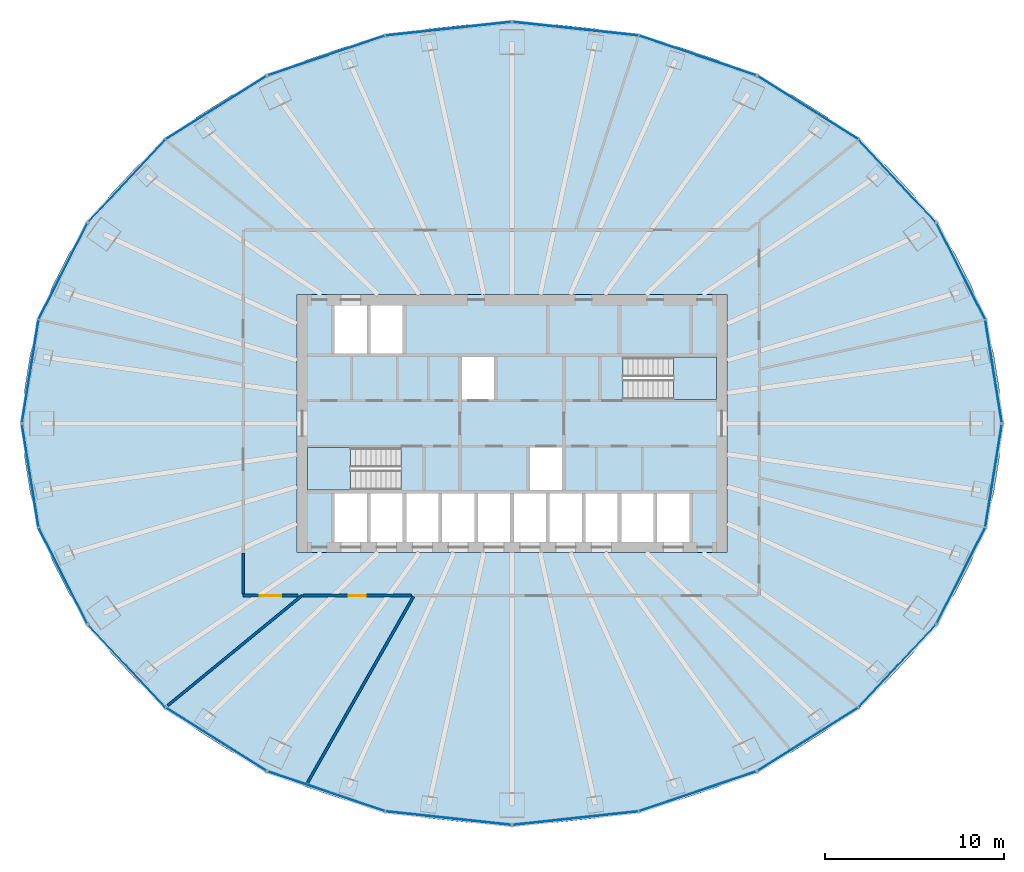
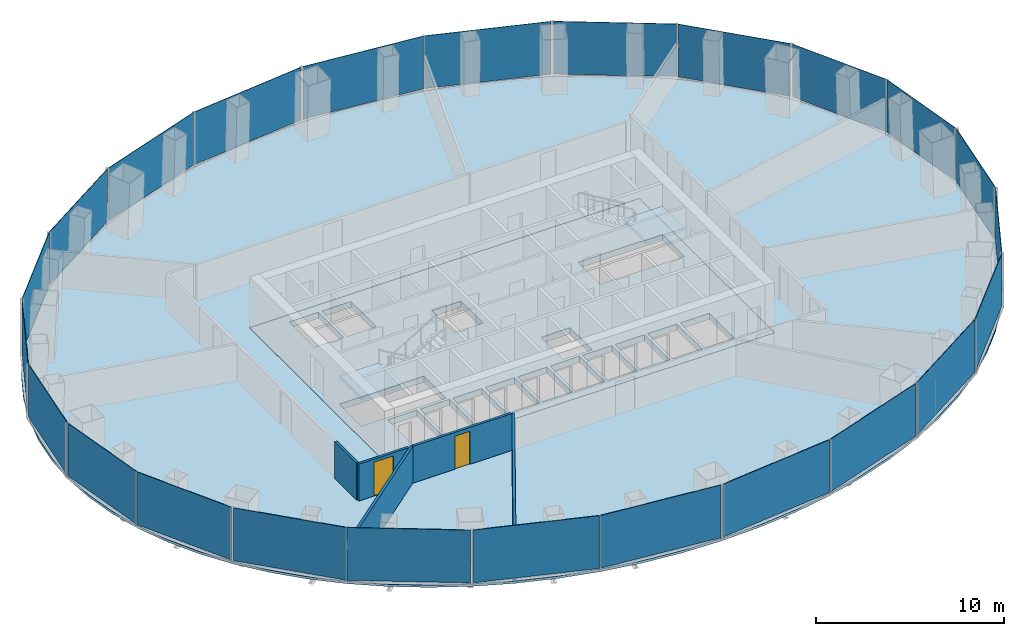
# One storey, part 7 of 11: 24 plates, 5 walls, 4 slabs, 2 doors, 2 openings, 14 elements without a shape of their own.
"""IFC4 building model written with IfcOpenShell, lengths in metres."""

from ifc_helpers import new_model, si_unit, direction, frame, frame_2d, origin, origin_2d, place, context, subcontext, project, spatial, polyline, rectangle, outline, extrude, material, layer, layer_set, type_object, element, fill, aggregate, save


model = new_model("IFC4")

# Units and contexts
model_context = context("Model", 3, precision=1e-05, world=origin(), true_north=direction((0.0, 1.0)))
body_context = subcontext(model_context, "Body", "Model", "MODEL_VIEW")
ifc_project = project(units=[si_unit("LENGTHUNIT", "METRE"), si_unit("AREAUNIT", "SQUARE_METRE"), si_unit("VOLUMEUNIT", "CUBIC_METRE"), si_unit("PLANEANGLEUNIT", "RADIAN"), si_unit("MASSUNIT", "GRAM", prefix="KILO")], contexts=[model_context])

# Site, building, storey
site_placement = place(None, origin())
site = spatial("IfcSite", under=ifc_project, at=site_placement, CompositionType="ELEMENT")
building_placement = place(site_placement, origin())
building = spatial("IfcBuilding", under=site, at=building_placement, Name="Siaravel Broadcast Tower", CompositionType="ELEMENT")
storey_placement = place(building_placement, frame((0.0, 0.0, 63.0)))
storey = spatial("IfcBuildingStorey", under=building, at=storey_placement, Name="L14", CompositionType="ELEMENT", Elevation=63.0)

# Curtain wall, plates
ifc_material_1 = material(Name="Aluminium 6063-T6", Category="aluminium")
ifc_layer_1 = layer(ifc_material_1, 0.219970703125)
ifc_layer_set_1 = layer_set([ifc_layer_1], Name="Aluminium 6063-T6")
curtain_wall_type = type_object("IfcCurtainWallType", Name="Unitised curtain wall, zone 1", PredefinedType="NOTDEFINED", material=ifc_layer_set_1)
curtain_wall_1_placement = place(storey_placement, origin())
curtain_wall_1 = element("IfcCurtainWall", 1, at=curtain_wall_1_placement, inside=storey, type_object=curtain_wall_type, Name="L14 Unitised curtain wall, zone 1 01", PredefinedType="NOTDEFINED")
ifc_material_2 = material(Name="Tinted laminated glass", Category="glass")
ifc_layer_2 = layer(ifc_material_2, 0.031982421875)
ifc_layer_set_2 = layer_set([ifc_layer_2], Name="Tinted laminated glass")
plate_type = type_object("IfcPlateType", Name="CW-Z1 glass panel", PredefinedType="CURTAIN_PANEL", material=ifc_layer_set_2)
plate_1_placement = place(storey_placement, frame((26.878662109375, 2.918701171875, 0.1201171875), z_axis=(0.0, 0.0, 1.0), x_axis=(-0.158686233, 0.987329063, 0.0)))
plate_1 = element("IfcPlate", 2, at=plate_1_placement, type_object=plate_type, Name="CW-Z1 glass panel", PredefinedType="CURTAIN_PANEL", context=body_context, shape_type="SweptSolid", body=[
    extrude(rectangle(XDim=5.772216796875, YDim=0.031982421875, at=origin_2d()), origin(), (0.0, 0.0, 1.0), 3.429931640625),
])
plate_2_placement = place(storey_placement, frame((25.05615234375, 8.489990234375, 0.1201171875), z_axis=(0.0, 0.0, 1.0), x_axis=(-0.451262428, 0.892391293, 0.0)))
plate_2 = element("IfcPlate", 3, at=plate_2_placement, type_object=plate_type, Name="CW-Z1 glass panel", PredefinedType="CURTAIN_PANEL", context=body_context, shape_type="SweptSolid", body=[
    extrude(rectangle(XDim=5.952880859375, YDim=0.031982421875, at=origin_2d()), origin(), (0.0, 0.0, 1.0), 3.429931640625),
])
aggregate(curtain_wall_1, [plate_1, plate_2])

curtain_wall_2_placement = place(storey_placement, origin())
curtain_wall_2 = element("IfcCurtainWall", 4, at=curtain_wall_2_placement, inside=storey, type_object=curtain_wall_type, Name="L14 Unitised curtain wall, zone 1 02", PredefinedType="NOTDEFINED")
plate_3_placement = place(storey_placement, frame((21.495849609375, 13.5419921875, 0.1201171875), z_axis=(0.0, 0.0, 1.0), x_axis=(-0.683656509, 0.729803931, 0.0)))
plate_3 = element("IfcPlate", 5, at=plate_3_placement, type_object=plate_type, Name="CW-Z1 glass panel", PredefinedType="CURTAIN_PANEL", context=body_context, shape_type="SweptSolid", body=[
    extrude(rectangle(XDim=6.25390625, YDim=0.031982421875, at=origin_2d()), origin(), (0.0, 0.0, 1.0), 3.429931640625),
])
plate_4_placement = place(storey_placement, frame((16.51708984375, 17.6201171875, 0.1201171875), z_axis=(0.0, 0.0, 1.0), x_axis=(-0.846651392, 0.532147932, 0.0)))
plate_4 = element("IfcPlate", 6, at=plate_4_placement, type_object=plate_type, Name="CW-Z1 glass panel", PredefinedType="CURTAIN_PANEL", context=body_context, shape_type="SweptSolid", body=[
    extrude(rectangle(XDim=6.584716796875, YDim=0.031982421875, at=origin_2d()), origin(), (0.0, 0.0, 1.0), 3.429931640625),
])
aggregate(curtain_wall_2, [plate_3, plate_4])

curtain_wall_3_placement = place(storey_placement, origin())
curtain_wall_3 = element("IfcCurtainWall", 7, at=curtain_wall_3_placement, inside=storey, type_object=curtain_wall_type, Name="L14 Unitised curtain wall, zone 1 03", PredefinedType="NOTDEFINED")
plate_5_placement = place(storey_placement, frame((10.3564453125, 20.53369140625, 0.1201171875), z_axis=(0.0, 0.0, 1.0), x_axis=(-0.946977551, 0.321299732, 0.0)))
plate_5 = element("IfcPlate", 8, at=plate_5_placement, type_object=plate_type, Name="CW-Z1 glass panel", PredefinedType="CURTAIN_PANEL", context=body_context, shape_type="SweptSolid", body=[
    extrude(rectangle(XDim=6.858642578125, YDim=0.031982421875, at=origin_2d()), origin(), (0.0, 0.0, 1.0), 3.429931640625),
])
plate_6_placement = place(storey_placement, frame((3.555419921875, 22.026611328125, 0.1201171875), z_axis=(0.0, 0.0, 1.0), x_axis=(-0.994235625, 0.107217176, 0.0)))
plate_6 = element("IfcPlate", 9, at=plate_6_placement, type_object=plate_type, Name="CW-Z1 glass panel", PredefinedType="CURTAIN_PANEL", context=body_context, shape_type="SweptSolid", body=[
    extrude(rectangle(XDim=7.011962890625, YDim=0.031982421875, at=origin_2d()), origin(), (0.0, 0.0, 1.0), 3.429931640625),
])
aggregate(curtain_wall_3, [plate_5, plate_6])

curtain_wall_4_placement = place(storey_placement, origin())
curtain_wall_4 = element("IfcCurtainWall", 10, at=curtain_wall_4_placement, inside=storey, type_object=curtain_wall_type, Name="L14 Unitised curtain wall, zone 1 04", PredefinedType="NOTDEFINED")
plate_7_placement = place(storey_placement, frame((-3.555419921875, 22.026611328125, 0.1201171875), z_axis=(0.0, 0.0, 1.0), x_axis=(-0.994235625, -0.107217176, 0.0)))
plate_7 = element("IfcPlate", 11, at=plate_7_placement, type_object=plate_type, Name="CW-Z1 glass panel", PredefinedType="CURTAIN_PANEL", context=body_context, shape_type="SweptSolid", body=[
    extrude(rectangle(XDim=7.011962890625, YDim=0.031982421875, at=origin_2d()), origin(), (0.0, 0.0, 1.0), 3.429931640625),
])
plate_8_placement = place(storey_placement, frame((-10.3564453125, 20.53369140625, 0.1201171875), z_axis=(0.0, 0.0, 1.0), x_axis=(-0.946977551, -0.321299732, 0.0)))
plate_8 = element("IfcPlate", 12, at=plate_8_placement, type_object=plate_type, Name="CW-Z1 glass panel", PredefinedType="CURTAIN_PANEL", context=body_context, shape_type="SweptSolid", body=[
    extrude(rectangle(XDim=6.858642578125, YDim=0.031982421875, at=origin_2d()), origin(), (0.0, 0.0, 1.0), 3.429931640625),
])
aggregate(curtain_wall_4, [plate_7, plate_8])

curtain_wall_5_placement = place(storey_placement, origin())
curtain_wall_5 = element("IfcCurtainWall", 13, at=curtain_wall_5_placement, inside=storey, type_object=curtain_wall_type, Name="L14 Unitised curtain wall, zone 1 05", PredefinedType="NOTDEFINED")
plate_9_placement = place(storey_placement, frame((-16.51708984375, 17.6201171875, 0.1201171875), z_axis=(0.0, 0.0, 1.0), x_axis=(-0.846651392, -0.532147932, 0.0)))
plate_9 = element("IfcPlate", 14, at=plate_9_placement, type_object=plate_type, Name="CW-Z1 glass panel", PredefinedType="CURTAIN_PANEL", context=body_context, shape_type="SweptSolid", body=[
    extrude(rectangle(XDim=6.584716796875, YDim=0.031982421875, at=origin_2d()), origin(), (0.0, 0.0, 1.0), 3.429931640625),
])
plate_10_placement = place(storey_placement, frame((-21.495849609375, 13.5419921875, 0.1201171875), z_axis=(0.0, 0.0, 1.0), x_axis=(-0.683656509, -0.729803931, 0.0)))
plate_10 = element("IfcPlate", 15, at=plate_10_placement, type_object=plate_type, Name="CW-Z1 glass panel", PredefinedType="CURTAIN_PANEL", context=body_context, shape_type="SweptSolid", body=[
    extrude(rectangle(XDim=6.25390625, YDim=0.031982421875, at=origin_2d()), origin(), (0.0, 0.0, 1.0), 3.429931640625),
])
aggregate(curtain_wall_5, [plate_9, plate_10])

curtain_wall_6_placement = place(storey_placement, origin())
curtain_wall_6 = element("IfcCurtainWall", 16, at=curtain_wall_6_placement, inside=storey, type_object=curtain_wall_type, Name="L14 Unitised curtain wall, zone 1 06", PredefinedType="NOTDEFINED")
plate_11_placement = place(storey_placement, frame((-25.05615234375, 8.489990234375, 0.1201171875), z_axis=(0.0, 0.0, 1.0), x_axis=(-0.451262428, -0.892391293, 0.0)))
plate_11 = element("IfcPlate", 17, at=plate_11_placement, type_object=plate_type, Name="CW-Z1 glass panel", PredefinedType="CURTAIN_PANEL", context=body_context, shape_type="SweptSolid", body=[
    extrude(rectangle(XDim=5.952880859375, YDim=0.031982421875, at=origin_2d()), origin(), (0.0, 0.0, 1.0), 3.429931640625),
])
plate_12_placement = place(storey_placement, frame((-26.878662109375, 2.918701171875, 0.1201171875), z_axis=(0.0, 0.0, 1.0), x_axis=(-0.158686233, -0.987329063, 0.0)))
plate_12 = element("IfcPlate", 18, at=plate_12_placement, type_object=plate_type, Name="CW-Z1 glass panel", PredefinedType="CURTAIN_PANEL", context=body_context, shape_type="SweptSolid", body=[
    extrude(rectangle(XDim=5.772216796875, YDim=0.031982421875, at=origin_2d()), origin(), (0.0, 0.0, 1.0), 3.429931640625),
])
aggregate(curtain_wall_6, [plate_11, plate_12])

curtain_wall_7_placement = place(storey_placement, origin())
curtain_wall_7 = element("IfcCurtainWall", 19, at=curtain_wall_7_placement, inside=storey, type_object=curtain_wall_type, Name="L14 Unitised curtain wall, zone 1 07", PredefinedType="NOTDEFINED")
plate_13_placement = place(storey_placement, frame((-26.878662109375, -2.918701171875, 0.1201171875), z_axis=(0.0, 0.0, 1.0), x_axis=(0.158686233, -0.987329063, 0.0)))
plate_13 = element("IfcPlate", 20, at=plate_13_placement, type_object=plate_type, Name="CW-Z1 glass panel", PredefinedType="CURTAIN_PANEL", context=body_context, shape_type="SweptSolid", body=[
    extrude(rectangle(XDim=5.772216796875, YDim=0.031982421875, at=origin_2d()), origin(), (0.0, 0.0, 1.0), 3.429931640625),
])
plate_14_placement = place(storey_placement, frame((-25.05615234375, -8.489990234375, 0.1201171875), z_axis=(0.0, 0.0, 1.0), x_axis=(0.451262428, -0.892391293, 0.0)))
plate_14 = element("IfcPlate", 21, at=plate_14_placement, type_object=plate_type, Name="CW-Z1 glass panel", PredefinedType="CURTAIN_PANEL", context=body_context, shape_type="SweptSolid", body=[
    extrude(rectangle(XDim=5.952880859375, YDim=0.031982421875, at=origin_2d()), origin(), (0.0, 0.0, 1.0), 3.429931640625),
])
aggregate(curtain_wall_7, [plate_13, plate_14])

curtain_wall_8_placement = place(storey_placement, origin())
curtain_wall_8 = element("IfcCurtainWall", 22, at=curtain_wall_8_placement, inside=storey, type_object=curtain_wall_type, Name="L14 Unitised curtain wall, zone 1 08", PredefinedType="NOTDEFINED")
plate_15_placement = place(storey_placement, frame((-21.495849609375, -13.5419921875, 0.1201171875), z_axis=(0.0, 0.0, 1.0), x_axis=(0.683656509, -0.729803931, 0.0)))
plate_15 = element("IfcPlate", 23, at=plate_15_placement, type_object=plate_type, Name="CW-Z1 glass panel", PredefinedType="CURTAIN_PANEL", context=body_context, shape_type="SweptSolid", body=[
    extrude(rectangle(XDim=6.25390625, YDim=0.031982421875, at=origin_2d()), origin(), (0.0, 0.0, 1.0), 3.429931640625),
])
plate_16_placement = place(storey_placement, frame((-16.51708984375, -17.6201171875, 0.1201171875), z_axis=(0.0, 0.0, 1.0), x_axis=(0.846651392, -0.532147932, 0.0)))
plate_16 = element("IfcPlate", 24, at=plate_16_placement, type_object=plate_type, Name="CW-Z1 glass panel", PredefinedType="CURTAIN_PANEL", context=body_context, shape_type="SweptSolid", body=[
    extrude(rectangle(XDim=6.584716796875, YDim=0.031982421875, at=origin_2d()), origin(), (0.0, 0.0, 1.0), 3.429931640625),
])
aggregate(curtain_wall_8, [plate_15, plate_16])

curtain_wall_9_placement = place(storey_placement, origin())
curtain_wall_9 = element("IfcCurtainWall", 25, at=curtain_wall_9_placement, inside=storey, type_object=curtain_wall_type, Name="L14 Unitised curtain wall, zone 1 09", PredefinedType="NOTDEFINED")
plate_17_placement = place(storey_placement, frame((-10.3564453125, -20.53369140625, 0.1201171875), z_axis=(0.0, 0.0, 1.0), x_axis=(0.946977551, -0.321299732, 0.0)))
plate_17 = element("IfcPlate", 26, at=plate_17_placement, type_object=plate_type, Name="CW-Z1 glass panel", PredefinedType="CURTAIN_PANEL", context=body_context, shape_type="SweptSolid", body=[
    extrude(rectangle(XDim=6.858642578125, YDim=0.031982421875, at=origin_2d()), origin(), (0.0, 0.0, 1.0), 3.429931640625),
])
plate_18_placement = place(storey_placement, frame((-3.555419921875, -22.026611328125, 0.1201171875), z_axis=(0.0, 0.0, 1.0), x_axis=(0.994235625, -0.107217176, 0.0)))
plate_18 = element("IfcPlate", 27, at=plate_18_placement, type_object=plate_type, Name="CW-Z1 glass panel", PredefinedType="CURTAIN_PANEL", context=body_context, shape_type="SweptSolid", body=[
    extrude(rectangle(XDim=7.011962890625, YDim=0.031982421875, at=origin_2d()), origin(), (0.0, 0.0, 1.0), 3.429931640625),
])
aggregate(curtain_wall_9, [plate_17, plate_18])

curtain_wall_10_placement = place(storey_placement, origin())
curtain_wall_10 = element("IfcCurtainWall", 28, at=curtain_wall_10_placement, inside=storey, type_object=curtain_wall_type, Name="L14 Unitised curtain wall, zone 1 10", PredefinedType="NOTDEFINED")
plate_19_placement = place(storey_placement, frame((3.555419921875, -22.026611328125, 0.1201171875), z_axis=(0.0, 0.0, 1.0), x_axis=(0.994235625, 0.107217176, 0.0)))
plate_19 = element("IfcPlate", 29, at=plate_19_placement, type_object=plate_type, Name="CW-Z1 glass panel", PredefinedType="CURTAIN_PANEL", context=body_context, shape_type="SweptSolid", body=[
    extrude(rectangle(XDim=7.011962890625, YDim=0.031982421875, at=origin_2d()), origin(), (0.0, 0.0, 1.0), 3.429931640625),
])
plate_20_placement = place(storey_placement, frame((10.3564453125, -20.53369140625, 0.1201171875), z_axis=(0.0, 0.0, 1.0), x_axis=(0.946977551, 0.321299732, 0.0)))
plate_20 = element("IfcPlate", 30, at=plate_20_placement, type_object=plate_type, Name="CW-Z1 glass panel", PredefinedType="CURTAIN_PANEL", context=body_context, shape_type="SweptSolid", body=[
    extrude(rectangle(XDim=6.858642578125, YDim=0.031982421875, at=origin_2d()), origin(), (0.0, 0.0, 1.0), 3.429931640625),
])
aggregate(curtain_wall_10, [plate_19, plate_20])

curtain_wall_11_placement = place(storey_placement, origin())
curtain_wall_11 = element("IfcCurtainWall", 31, at=curtain_wall_11_placement, inside=storey, type_object=curtain_wall_type, Name="L14 Unitised curtain wall, zone 1 11", PredefinedType="NOTDEFINED")
plate_21_placement = place(storey_placement, frame((16.51708984375, -17.6201171875, 0.1201171875), z_axis=(0.0, 0.0, 1.0), x_axis=(0.846651392, 0.532147932, 0.0)))
plate_21 = element("IfcPlate", 32, at=plate_21_placement, type_object=plate_type, Name="CW-Z1 glass panel", PredefinedType="CURTAIN_PANEL", context=body_context, shape_type="SweptSolid", body=[
    extrude(rectangle(XDim=6.584716796875, YDim=0.031982421875, at=origin_2d()), origin(), (0.0, 0.0, 1.0), 3.429931640625),
])
plate_22_placement = place(storey_placement, frame((21.495849609375, -13.5419921875, 0.1201171875), z_axis=(0.0, 0.0, 1.0), x_axis=(0.683656509, 0.729803931, 0.0)))
plate_22 = element("IfcPlate", 33, at=plate_22_placement, type_object=plate_type, Name="CW-Z1 glass panel", PredefinedType="CURTAIN_PANEL", context=body_context, shape_type="SweptSolid", body=[
    extrude(rectangle(XDim=6.25390625, YDim=0.031982421875, at=origin_2d()), origin(), (0.0, 0.0, 1.0), 3.429931640625),
])
aggregate(curtain_wall_11, [plate_21, plate_22])

curtain_wall_12_placement = place(storey_placement, origin())
curtain_wall_12 = element("IfcCurtainWall", 34, at=curtain_wall_12_placement, inside=storey, type_object=curtain_wall_type, Name="L14 Unitised curtain wall, zone 1 12", PredefinedType="NOTDEFINED")
plate_23_placement = place(storey_placement, frame((25.05615234375, -8.489990234375, 0.1201171875), z_axis=(0.0, 0.0, 1.0), x_axis=(0.451262428, 0.892391293, 0.0)))
plate_23 = element("IfcPlate", 35, at=plate_23_placement, type_object=plate_type, Name="CW-Z1 glass panel", PredefinedType="CURTAIN_PANEL", context=body_context, shape_type="SweptSolid", body=[
    extrude(rectangle(XDim=5.952880859375, YDim=0.031982421875, at=origin_2d()), origin(), (0.0, 0.0, 1.0), 3.429931640625),
])
plate_24_placement = place(storey_placement, frame((26.878662109375, -2.918701171875, 0.1201171875), z_axis=(0.0, 0.0, 1.0), x_axis=(0.158686233, 0.987329063, 0.0)))
plate_24 = element("IfcPlate", 36, at=plate_24_placement, type_object=plate_type, Name="CW-Z1 glass panel", PredefinedType="CURTAIN_PANEL", context=body_context, shape_type="SweptSolid", body=[
    extrude(rectangle(XDim=5.772216796875, YDim=0.031982421875, at=origin_2d()), origin(), (0.0, 0.0, 1.0), 3.429931640625),
])
aggregate(curtain_wall_12, [plate_23, plate_24])

# Slabs
ifc_material_3 = material(Name="Concrete C40/50", Category="concrete")
ifc_layer_3 = layer(ifc_material_3, 0.39990234375)
ifc_layer_set_3 = layer_set([ifc_layer_3], Name="Concrete C40/50")
slab_type_1 = type_object("IfcSlabType", Name="Core floor slab 400", PredefinedType="FLOOR", material=ifc_layer_set_3)
slab_1_placement = place(storey_placement, frame((0.0, 0.0, -0.39990234375)))
element("IfcSlab", 37, at=slab_1_placement, inside=storey, type_object=slab_type_1, Name="L14 core floor", PredefinedType="FLOOR", context=body_context, shape_type="SweptSolid", body=[
    extrude(outline(polyline([(-12.0, -7.199951171875), (-12.0, 7.199951171875), (12.0, 7.199951171875), (12.0, -7.199951171875), (-12.0, -7.199951171875)]), holes=[polyline([(11.3994140625, 1.3505859375), (11.3994140625, 3.699462890625), (6.200439453125, 3.699462890625), (6.200439453125, 1.3505859375), (11.3994140625, 1.3505859375)]), polyline([(9.89990234375, -3.89990234375), (8.10009765625, -3.89990234375), (8.10009765625, -6.60009765625), (9.89990234375, -6.60009765625), (9.89990234375, -3.89990234375)]), polyline([(7.89990234375, -3.89990234375), (6.10009765625, -3.89990234375), (6.10009765625, -6.60009765625), (7.89990234375, -6.60009765625), (7.89990234375, -3.89990234375)]), polyline([(5.89990234375, -3.89990234375), (4.10009765625, -3.89990234375), (4.10009765625, -6.60009765625), (5.89990234375, -6.60009765625), (5.89990234375, -3.89990234375)]), polyline([(3.89990234375, -3.89990234375), (2.10009765625, -3.89990234375), (2.10009765625, -6.60009765625), (3.89990234375, -6.60009765625), (3.89990234375, -3.89990234375)]), polyline([(2.800048828125, -1.35009765625), (1.0, -1.35009765625), (1.0, -3.699951171875), (2.800048828125, -3.699951171875), (2.800048828125, -1.35009765625)]), polyline([(1.89990234375, -3.89990234375), (0.10009765625, -3.89990234375), (0.10009765625, -6.60009765625), (1.89990234375, -6.60009765625), (1.89990234375, -3.89990234375)]), polyline([(-0.10009765625, -3.89990234375), (-1.89990234375, -3.89990234375), (-1.89990234375, -6.60009765625), (-0.10009765625, -6.60009765625), (-0.10009765625, -3.89990234375)]), polyline([(-1.0, 3.699951171875), (-2.800048828125, 3.699951171875), (-2.800048828125, 1.35009765625), (-1.0, 1.35009765625), (-1.0, 3.699951171875)]), polyline([(-2.10009765625, -3.89990234375), (-3.89990234375, -3.89990234375), (-3.89990234375, -6.60009765625), (-2.10009765625, -6.60009765625), (-2.10009765625, -3.89990234375)]), polyline([(-4.10009765625, -3.89990234375), (-5.89990234375, -3.89990234375), (-5.89990234375, -6.60009765625), (-4.10009765625, -6.60009765625), (-4.10009765625, -3.89990234375)]), polyline([(-6.10009765625, -3.89990234375), (-7.89990234375, -3.89990234375), (-7.89990234375, -6.60009765625), (-6.10009765625, -6.60009765625), (-6.10009765625, -3.89990234375)]), polyline([(-6.10009765625, 6.60009765625), (-7.89990234375, 6.60009765625), (-7.89990234375, 3.89990234375), (-6.10009765625, 3.89990234375), (-6.10009765625, 6.60009765625)]), polyline([(-11.3994140625, -1.3505859375), (-11.3994140625, -3.699462890625), (-6.200439453125, -3.699462890625), (-6.200439453125, -1.3505859375), (-11.3994140625, -1.3505859375)]), polyline([(-8.10009765625, -3.89990234375), (-9.89990234375, -3.89990234375), (-9.89990234375, -6.60009765625), (-8.10009765625, -6.60009765625), (-8.10009765625, -3.89990234375)]), polyline([(-8.10009765625, 6.60009765625), (-9.89990234375, 6.60009765625), (-9.89990234375, 3.89990234375), (-8.10009765625, 3.89990234375), (-8.10009765625, 6.60009765625)])]), origin(), (0.0, 0.0, 1.0), 0.39990234375),
])
ifc_layer_4 = layer(ifc_material_3, 0.14990234375)
ifc_layer_set_4 = layer_set([ifc_layer_4], Name="Concrete C40/50")
slab_type_2 = type_object("IfcSlabType", Name="SLB-FLOOR-150", PredefinedType="FLOOR", material=ifc_layer_set_4)
slab_2_placement = place(storey_placement, frame((0.0, 0.0, -0.14990234375)))
element("IfcSlab", 38, at=slab_2_placement, inside=storey, type_object=slab_type_2, Name="Floor slab", PredefinedType="FLOOR", context=body_context, shape_type="SweptSolid", body=[
    extrude(outline(polyline([(27.2978515625, 0.0), (27.19384765625, 1.94873046875), (26.883056640625, 3.8828125), (26.36767578125, 5.787109375), (25.651611328125, 7.6474609375), (24.740234375, 9.44970703125), (23.640625, 11.179931640625), (22.361083984375, 12.8251953125), (20.911376953125, 14.372802734375), (19.302490234375, 15.810791015625), (17.546630859375, 17.128662109375), (15.657470703125, 18.316162109375), (13.64892578125, 19.3642578125), (11.53662109375, 20.264892578125), (9.33642578125, 21.011474609375), (7.065185546875, 21.597900390625), (4.740234375, 22.020263671875), (2.379150390625, 22.27490234375), (0.0, 22.35986328125), (-2.379150390625, 22.27490234375), (-4.740234375, 22.020263671875), (-7.065185546875, 21.597900390625), (-9.33642578125, 21.011474609375), (-11.53662109375, 20.264892578125), (-13.64892578125, 19.3642578125), (-15.657470703125, 18.316162109375), (-17.546630859375, 17.128662109375), (-19.302490234375, 15.810791015625), (-20.911376953125, 14.372802734375), (-22.361083984375, 12.8251953125), (-23.640625, 11.179931640625), (-24.740234375, 9.44970703125), (-25.651611328125, 7.6474609375), (-26.36767578125, 5.787109375), (-26.883056640625, 3.8828125), (-27.19384765625, 1.94873046875), (-27.2978515625, 0.0), (-27.19384765625, -1.94873046875), (-26.883056640625, -3.8828125), (-26.36767578125, -5.787109375), (-25.651611328125, -7.6474609375), (-24.740234375, -9.44970703125), (-23.640625, -11.179931640625), (-22.361083984375, -12.8251953125), (-20.911376953125, -14.372802734375), (-19.302490234375, -15.810791015625), (-17.546630859375, -17.128662109375), (-15.657470703125, -18.316162109375), (-13.64892578125, -19.3642578125), (-11.53662109375, -20.264892578125), (-9.33642578125, -21.011474609375), (-7.065185546875, -21.597900390625), (-4.740234375, -22.020263671875), (-2.379150390625, -22.27490234375), (0.0, -22.35986328125), (2.379150390625, -22.27490234375), (4.740234375, -22.020263671875), (7.065185546875, -21.597900390625), (9.33642578125, -21.011474609375), (11.53662109375, -20.264892578125), (13.64892578125, -19.3642578125), (15.657470703125, -18.316162109375), (17.546630859375, -17.128662109375), (19.302490234375, -15.810791015625), (20.911376953125, -14.372802734375), (22.361083984375, -12.8251953125), (23.640625, -11.179931640625), (24.740234375, -9.44970703125), (25.651611328125, -7.6474609375), (26.36767578125, -5.787109375), (26.883056640625, -3.8828125), (27.19384765625, -1.94873046875), (27.2978515625, 0.0)]), holes=[polyline([(-12.0, 7.199951171875), (12.0, 7.199951171875), (12.0, -7.199951171875), (-12.0, -7.199951171875), (-12.0, 7.199951171875)])]), origin(), (0.0, 0.0, 1.0), 0.14990234375),
])

# Stair, slab
stair_type = type_object("IfcStairType", Name="Core exit stair", PredefinedType="HALF_TURN_STAIR", material=ifc_material_3)
stair_1_placement = place(storey_placement, origin())
stair_1 = element("IfcStair", 39, at=stair_1_placement, inside=storey, type_object=stair_type, Name="L14 Exit stair ST-1", PredefinedType="HALF_TURN_STAIR")
ifc_layer_5 = layer(ifc_material_3, 0.199951171875)
ifc_layer_set_5 = layer_set([ifc_layer_5], Name="Concrete C40/50")
slab_type_3 = type_object("IfcSlabType", Name="Stair landing", PredefinedType="LANDING", material=ifc_layer_set_5)
slab_3_placement = place(storey_placement, frame((0.0, 0.0, 1.64990234375)))
slab_3 = element("IfcSlab", 40, at=slab_3_placement, type_object=slab_type_3, Name="ST-1 landing 1", PredefinedType="LANDING", context=body_context, shape_type="SweptSolid", body=[
    extrude(outline(polyline([(-9.0, -1.35009765625), (-11.39990234375, -1.35009765625), (-11.39990234375, -3.699951171875), (-9.0, -3.699951171875), (-9.0, -1.35009765625)])), origin(), (0.0, 0.0, 1.0), 0.2001953125),
])
aggregate(stair_1, [slab_3])

stair_2_placement = place(storey_placement, origin())
stair_2 = element("IfcStair", 41, at=stair_2_placement, inside=storey, type_object=stair_type, Name="L14 Exit stair ST-2", PredefinedType="HALF_TURN_STAIR")
slab_4_placement = place(storey_placement, frame((0.0, 0.0, 1.64990234375)))
slab_4 = element("IfcSlab", 42, at=slab_4_placement, type_object=slab_type_3, Name="ST-2 landing 1", PredefinedType="LANDING", context=body_context, shape_type="SweptSolid", body=[
    extrude(outline(polyline([(9.0, 1.35009765625), (11.39990234375, 1.35009765625), (11.39990234375, 3.699951171875), (9.0, 3.699951171875), (9.0, 1.35009765625)])), origin(), (0.0, 0.0, 1.0), 0.2001953125),
])
aggregate(stair_2, [slab_4])

# Wall, opening, door
ifc_material_4 = material(Name="Gypsum board partition", Category="gypsum")
ifc_layer_6 = layer(ifc_material_4, 0.14990234375)
ifc_layer_set_6 = layer_set([ifc_layer_6], Name="Gypsum board partition")
wall_type_1 = type_object("IfcWallType", Name="Corridor wall 150", PredefinedType="PARTITIONING", material=ifc_layer_set_6)
wall_1_placement = place(storey_placement, frame((-11.670654296875, -9.60009765625, 0.0), z_axis=(0.0, 0.0, 1.0), x_axis=(1.0, 0.0, 0.0)))
wall_1 = element("IfcWall", 43, at=wall_1_placement, inside=storey, type_object=wall_type_1, Name="L14 partition 15", PredefinedType="PARTITIONING", context=body_context, shape_type="SweptSolid", body=[
    extrude(rectangle(XDim=6.074462890625, YDim=0.14990234375, at=frame_2d((3.037109375, 0.0))), origin(), (0.0, 0.0, 1.0), 2.39990234375),
])
opening_1_placement = place(wall_1_placement, frame((2.562255859375, 0.0, 0.0)))
opening_1 = element("IfcOpeningElement", 44, at=opening_1_placement, cuts=wall_1, Name="Opening L14-011", PredefinedType="OPENING", context=body_context, shape_type="SweptSolid", body=[
    extrude(rectangle(XDim=0.949951171875, YDim=2.14990234375, at=frame_2d((0.47509765625, 1.074951171875))), frame((0.0, 0.0849609375, 0.0), z_axis=(0.0, -1.0, 0.0), x_axis=(1.0, 0.0, 0.0)), (0.0, 0.0, 1.0), 0.169921875),
])
ifc_material_5 = material(Name="Timber veneer", Category="wood")
door_type_1 = type_object("IfcDoorType", Name="Office door 950", OperationType="SINGLE_SWING_LEFT", PredefinedType="DOOR", material=ifc_material_5)
door_1_placement = place(opening_1_placement, origin())
door_1 = element("IfcDoor", 45, at=door_1_placement, inside=storey, type_object=door_type_1, Name="L14 door to Graphics studio", OperationType="SINGLE_SWING_LEFT", OverallHeight=2.14990234375, OverallWidth=0.949951171875, PredefinedType="DOOR", context=body_context, shape_type="SweptSolid", body=[
    extrude(rectangle(XDim=0.949951171875, YDim=2.14990234375, at=frame_2d((0.47509765625, 1.074951171875))), frame((0.0, 0.02490234375, 0.0), z_axis=(0.0, -1.0, 0.0), x_axis=(1.0, 0.0, 0.0)), (0.0, 0.0, 1.0), 0.050048828125),
])
fill(opening_1, door_1)

wall_2_placement = place(storey_placement, frame((-15.0, -9.60009765625, 0.0), z_axis=(0.0, 0.0, 1.0), x_axis=(1.0, 0.0, 0.0)))
wall_2 = element("IfcWall", 46, at=wall_2_placement, inside=storey, type_object=wall_type_1, Name="L14 partition 23", PredefinedType="PARTITIONING", context=body_context, shape_type="SweptSolid", body=[
    extrude(rectangle(XDim=3.068115234375, YDim=0.14990234375, at=frame_2d((1.5341796875, 0.0))), origin(), (0.0, 0.0, 1.0), 2.39990234375),
])
opening_2_placement = place(wall_2_placement, frame((0.93408203125, 0.0, 0.0)))
opening_2 = element("IfcOpeningElement", 47, at=opening_2_placement, cuts=wall_2, Name="Opening L14-010", PredefinedType="OPENING", context=body_context, shape_type="SweptSolid", body=[
    extrude(rectangle(XDim=1.199951171875, YDim=2.199951171875, at=frame_2d((0.60009765625, 1.10009765625))), frame((0.0, 0.0849609375, 0.0), z_axis=(0.0, -1.0, 0.0), x_axis=(1.0, 0.0, 0.0)), (0.0, 0.0, 1.0), 0.169921875),
])
door_type_2 = type_object("IfcDoorType", Name="Office double door 1200", OperationType="DOUBLE_DOOR_SINGLE_SWING", PredefinedType="DOOR", material=ifc_material_5)
door_2_placement = place(opening_2_placement, origin())
door_2 = element("IfcDoor", 48, at=door_2_placement, inside=storey, type_object=door_type_2, Name="L14 door to Open plan newsroom", OperationType="DOUBLE_DOOR_SINGLE_SWING", OverallHeight=2.199951171875, OverallWidth=1.199951171875, PredefinedType="DOOR", context=body_context, shape_type="SweptSolid", body=[
    extrude(rectangle(XDim=1.199951171875, YDim=2.199951171875, at=frame_2d((0.60009765625, 1.10009765625))), frame((0.0, 0.02490234375, 0.0), z_axis=(0.0, -1.0, 0.0), x_axis=(1.0, 0.0, 0.0)), (0.0, 0.0, 1.0), 0.050048828125),
])
fill(opening_2, door_2)

# Walls
wall_3_placement = place(storey_placement, frame((-15.0, -7.212890625, 0.0), z_axis=(0.0, 0.0, 1.0), x_axis=(0.0, -1.0, 0.0)))
element("IfcWall", 49, at=wall_3_placement, inside=storey, type_object=wall_type_1, Name="L14 partition 24", PredefinedType="PARTITIONING", context=body_context, shape_type="SweptSolid", body=[
    extrude(rectangle(XDim=2.31005859375, YDim=0.14990234375, at=frame_2d((1.155029296875, 0.0))), origin(), (0.0, 0.0, 1.0), 2.39990234375),
])
ifc_layer_7 = layer(ifc_material_4, 0.14990234375)
ifc_layer_set_7 = layer_set([ifc_layer_7], Name="Gypsum board partition")
wall_type_2 = type_object("IfcWallType", Name="Room partition 150", PredefinedType="PARTITIONING", material=ifc_layer_set_7)
wall_4_placement = place(storey_placement, frame((-11.47607421875, -20.158935546875, 0.0), z_axis=(0.0, 0.0, 1.0), x_axis=(0.494734776, 0.869044016, 0.0)))
element("IfcWall", 50, at=wall_4_placement, inside=storey, type_object=wall_type_2, Name="L14 partition 5", PredefinedType="PARTITIONING", context=body_context, shape_type="SweptSolid", body=[
    extrude(rectangle(XDim=12.082763671875, YDim=0.14990234375, at=frame_2d((6.04150390625, 0.0))), origin(), (0.0, 0.0, 1.0), 2.39990234375),
])
wall_5_placement = place(storey_placement, frame((-19.20703125, -15.732666015625, 0.0), z_axis=(0.0, 0.0, 1.0), x_axis=(0.77360313, 0.633670417, 0.0)))
element("IfcWall", 51, at=wall_5_placement, inside=storey, type_object=wall_type_2, Name="L14 partition 10", PredefinedType="PARTITIONING", context=body_context, shape_type="SweptSolid", body=[
    extrude(rectangle(XDim=9.677734375, YDim=0.14990234375, at=frame_2d((4.8388671875, 0.0))), origin(), (0.0, 0.0, 1.0), 2.39990234375),
])

save(model, "model.ifc")
